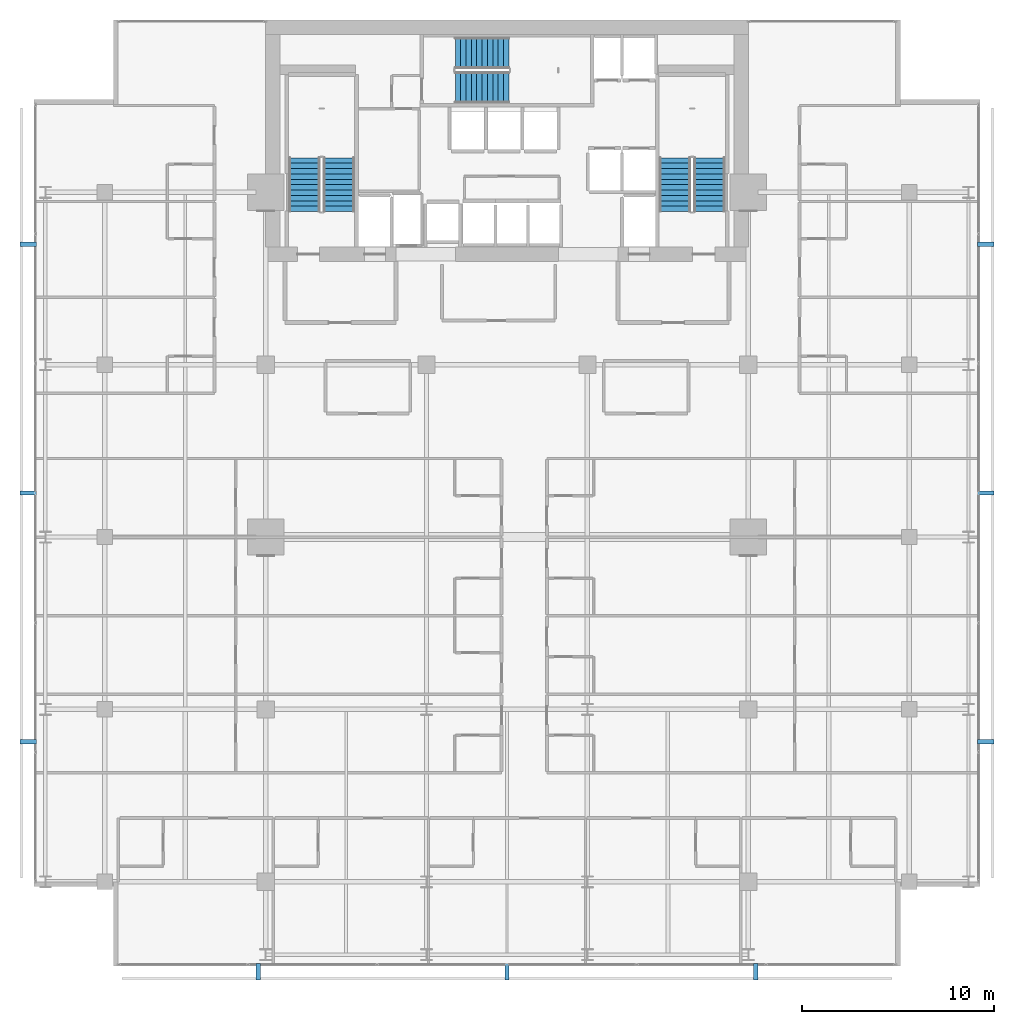
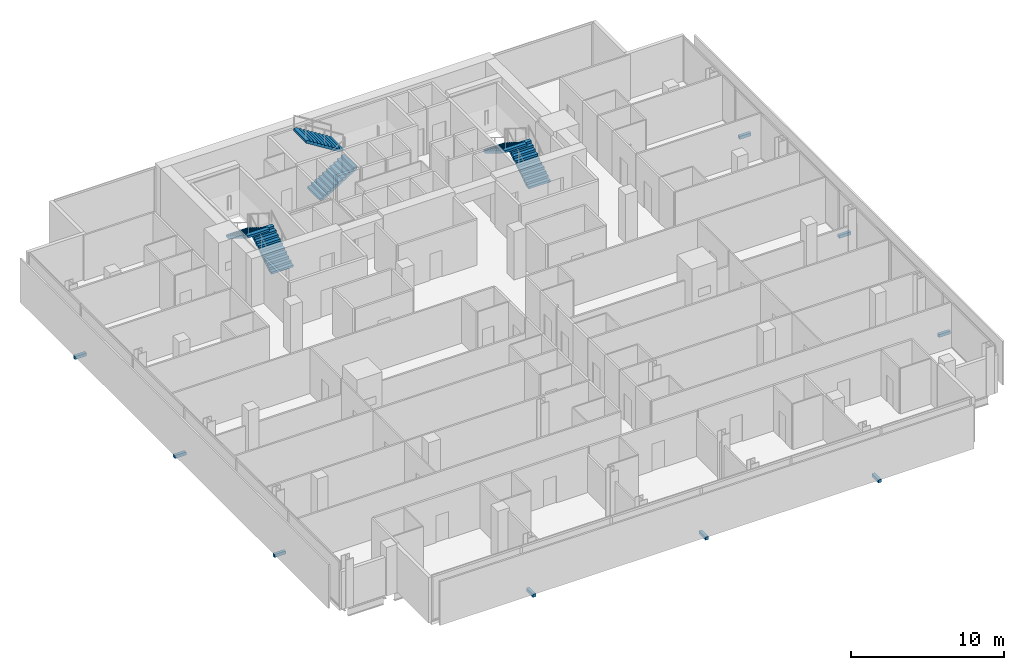
# One storey, part 32 of 34: 9 discrete accessories, 6 stair flights, 3 elements without a shape of their own.
"""IFC4 building model written with IfcOpenShell, lengths in metres."""

import ifcopenshell
import ifcopenshell.guid

model = None  # the IFC model being written
_history = None  # IfcOwnerHistory: only IFC2X3 demands one
_inside = {}  # id of a spatial element -> (the spatial element, [elements in it])
_under = {}  # id of a project, library or spatial element -> (it, [spatial elements below it])
_declared = {}  # id of a project -> (the project, [libraries it declares])
_typed = {}  # id of a type object -> (the type object, [elements of that type])
_made_of = {}  # id of a material, layer set ... -> (it, [elements and type objects made of it])


def new_model(schema):
    """Start an empty IFC model of exactly this schema.

    Asked for "IFC4X3", IfcOpenShell would pick the latest addendum, in which some entities
    have other attributes; the version numbers below select the first issue.
    IFC2X3 requires an IfcOwnerHistory on every rooted entity: one is made here for all.
    """
    global model, _history
    if schema == "IFC4X3":
        model = ifcopenshell.file(schema_version=(4, 3, 0, 0))
    else:
        model = ifcopenshell.file(schema=schema)
    _inside.clear()
    _under.clear()
    _declared.clear()
    _typed.clear()
    _made_of.clear()
    _history = None
    if model.schema == "IFC2X3":
        org = make("IfcOrganization", Name="unknown")
        user = make(
            "IfcPersonAndOrganization",
            ThePerson=make("IfcPerson", FamilyName="unknown"),
            TheOrganization=org,
        )
        app = make(
            "IfcApplication",
            ApplicationDeveloper=org,
            Version="unknown",
            ApplicationFullName="unknown",
            ApplicationIdentifier="unknown",
        )
        _history = make(
            "IfcOwnerHistory",
            OwningUser=user,
            OwningApplication=app,
            ChangeAction="ADDED",
            CreationDate=0,
        )
    return model


def make(cls, **values):
    """One entity of the class cls with the attributes given. An attribute that is None is left unset."""
    return model.create_entity(
        cls, **{name: value for name, value in values.items() if value is not None}
    )


def rooted(cls, **values):
    """An entity with a GlobalId (a new one), such as an element, a storey or a relation."""
    return make(cls, GlobalId=ifcopenshell.guid.new(), OwnerHistory=_history, **values)


def si_unit(unit_type, name, prefix=None):
    """IfcSIUnit, for example si_unit("LENGTHUNIT", "METRE", prefix="MILLI")."""
    return make("IfcSIUnit", UnitType=unit_type, Prefix=prefix, Name=name)


def assignment(units):
    """IfcUnitAssignment: the units of a project."""
    return None if units is None else make("IfcUnitAssignment", Units=units)


def point(xyz):
    """IfcCartesianPoint."""
    return None if xyz is None else make("IfcCartesianPoint", Coordinates=xyz)


def direction(xyz):
    """IfcDirection."""
    return None if xyz is None else make("IfcDirection", DirectionRatios=xyz)


def frame(location, z_axis=None, x_axis=None):
    """IfcAxis2Placement3D, a coordinate frame: its origin and axes. An axis left out is left unset."""
    return make(
        "IfcAxis2Placement3D",
        Location=point(location),
        Axis=direction(z_axis),
        RefDirection=direction(x_axis),
    )


def frame_2d(location, x_axis=None):
    """IfcAxis2Placement2D, a coordinate frame in the plane: its origin and x axis."""
    return make(
        "IfcAxis2Placement2D", Location=point(location), RefDirection=direction(x_axis)
    )


def origin():
    """The frame at (0, 0, 0) with its axes left unset."""
    return frame((0.0, 0.0, 0.0))


def origin_2d():
    """The frame at (0, 0) in the plane with its x axis left unset."""
    return frame_2d((0.0, 0.0))


def place(relative_to, where):
    """IfcLocalPlacement: puts the frame where relative to a parent placement (None: the world)."""
    return make(
        "IfcLocalPlacement", PlacementRelTo=relative_to, RelativePlacement=where
    )


def context(
    kind, dimensions, precision=None, world=None, true_north=None, identifier=None
):
    """IfcGeometricRepresentationContext, for example the 3D "Model" context."""
    return make(
        "IfcGeometricRepresentationContext",
        ContextIdentifier=identifier,
        ContextType=kind,
        CoordinateSpaceDimension=dimensions,
        Precision=precision,
        WorldCoordinateSystem=world,
        TrueNorth=true_north,
    )


def subcontext(parent, identifier, kind, view, scale=None):
    """IfcGeometricRepresentationSubContext, for example "Body" below "Model"."""
    return make(
        "IfcGeometricRepresentationSubContext",
        ContextIdentifier=identifier,
        ContextType=kind,
        ParentContext=parent,
        TargetScale=scale,
        TargetView=view,
    )


def project(units=None, contexts=None):
    """IfcProject with its units and contexts."""
    return rooted(
        "IfcProject",
        Name="project",
        RepresentationContexts=contexts,
        UnitsInContext=assignment(units),
    )


def spatial(cls, under=None, at=None, **own):
    """A site, building, storey or space (cls), placed at a placement, below another one or the project."""
    s = rooted(cls, ObjectPlacement=at, **own)
    if under is not None:
        _under.setdefault(under.id(), (under, []))[1].append(s)
    return s


def polyline(points):
    """IfcPolyline through the points."""
    return make("IfcPolyline", Points=[point(p) for p in points])


def profile(cls, at=None, kind="AREA", **sizes):
    """A parametric profile (cls). Its sizes go by their IFC names, for example OverallWidth=200.0."""
    return make(cls, ProfileType=kind, Position=at, **sizes)


def rectangle(**sizes):
    """IfcRectangleProfileDef."""
    return profile("IfcRectangleProfileDef", **sizes)


def outline(outer, holes=None, kind="AREA"):
    """IfcArbitraryClosedProfileDef: a profile drawn as a closed curve; with holes, ...WithVoids."""
    if holes is None:
        return make("IfcArbitraryClosedProfileDef", ProfileType=kind, OuterCurve=outer)
    return make(
        "IfcArbitraryProfileDefWithVoids",
        ProfileType=kind,
        OuterCurve=outer,
        InnerCurves=holes,
    )


def extrude(swept, where, along, depth):
    """IfcExtrudedAreaSolid: the profile swept, set in the frame where, extruded along a direction by depth."""
    return make(
        "IfcExtrudedAreaSolid",
        SweptArea=swept,
        Position=where,
        ExtrudedDirection=direction(along),
        Depth=depth,
    )


def shape(context_of_items, identifier, shape_type, items):
    """IfcShapeRepresentation: the items that make up one representation, for example the "Body"."""
    return make(
        "IfcShapeRepresentation",
        ContextOfItems=context_of_items,
        RepresentationIdentifier=identifier,
        RepresentationType=shape_type,
        Items=items,
    )


def material(Name=None, Category=None):
    """IfcMaterial."""
    return make("IfcMaterial", Name=Name, Category=Category)


def made_of(thing, what):
    """Note that an element or type object is made of a material, layer set ...; save() writes the relation."""
    if what is not None:
        _made_of.setdefault(what.id(), (what, []))[1].append(thing)
    return thing


def type_object(cls, material=None, **own):
    """A type object (cls), such as IfcWallType, which elements share."""
    return made_of(rooted(cls, **own), material)


def element(
    cls,
    number,
    at=None,
    inside=None,
    cuts=None,
    type_object=None,
    material=None,
    context=None,
    identifier="Body",
    shape_type=None,
    held_by="IfcProductDefinitionShape",
    body=None,
    shapes=None,
    **own,
):
    """One element of the class cls, such as IfcWall. Its Tag is "e" and its number.

    at: its placement. inside: the storey or other place that contains it. cuts: it is an
    opening in that element (IfcRelVoidsElement). A single representation is given by context,
    identifier, shape_type and body (its items); several are given by shapes. held_by: the class
    of the entity that holds the representations. save() writes the other relations.
    """
    e = rooted(cls, Tag="e%d" % number, ObjectPlacement=at, **own)
    if body is not None:
        shapes = [shape(context, identifier, shape_type, body)]
    if shapes is not None:
        e.Representation = make(held_by, Representations=shapes)
    if inside is not None:
        _inside.setdefault(inside.id(), (inside, []))[1].append(e)
    if cuts is not None:
        rooted(
            "IfcRelVoidsElement", RelatingBuildingElement=cuts, RelatedOpeningElement=e
        )
    if type_object is not None:
        _typed.setdefault(type_object.id(), (type_object, []))[1].append(e)
    return made_of(e, material)


def aggregate(whole, parts):
    """IfcRelAggregates: a whole, such as a stair, and the parts it consists of."""
    return rooted("IfcRelAggregates", RelatingObject=whole, RelatedObjects=parts)


def save(model, path):
    """Write the relations noted so far, then the file.

    IfcRelAggregates (storeys below a building ...), IfcRelContainedInSpatialStructure (elements
    in a storey), IfcRelDefinesByType, IfcRelAssociatesMaterial and IfcRelDeclares: one each for
    every whole, place, type object, material and project.
    """
    for whole, parts in _under.values():
        aggregate(whole, parts)
    for where, things in _inside.values():
        rooted(
            "IfcRelContainedInSpatialStructure",
            RelatedElements=things,
            RelatingStructure=where,
        )
    for kind, things in _typed.values():
        rooted("IfcRelDefinesByType", RelatedObjects=things, RelatingType=kind)
    for what, things in _made_of.values():
        rooted("IfcRelAssociatesMaterial", RelatedObjects=things, RelatingMaterial=what)
    for by, libraries in _declared.values():
        rooted("IfcRelDeclares", RelatingContext=by, RelatedDefinitions=libraries)
    model.write(path)


model = new_model("IFC4")

# Units and contexts
model_context = context("Model", 3, precision=1e-05, world=origin(), true_north=direction((0.0, 1.0)))
body_context = subcontext(model_context, "Body", "Model", "MODEL_VIEW")
ifc_project = project(units=[si_unit("LENGTHUNIT", "METRE"), si_unit("AREAUNIT", "SQUARE_METRE"), si_unit("VOLUMEUNIT", "CUBIC_METRE"), si_unit("PLANEANGLEUNIT", "RADIAN"), si_unit("MASSUNIT", "GRAM", prefix="KILO")], contexts=[model_context])

# Site, building, storey
site_placement = place(None, origin())
site = spatial("IfcSite", under=ifc_project, at=site_placement, CompositionType="ELEMENT")
building_placement = place(site_placement, origin())
building = spatial("IfcBuilding", under=site, at=building_placement, Name="Maruvema Waterfront Hotel and Observation Tower", CompositionType="ELEMENT")
storey_placement = place(building_placement, frame((0.0, 0.0, 173.60009765625)))
storey = spatial("IfcBuildingStorey", under=building, at=storey_placement, Name="L42", CompositionType="ELEMENT", Elevation=173.60009765625)

# Stair, stair flights
ifc_material_1 = material(Name="Concrete C50/60", Category="concrete")
stair_type = type_object("IfcStairType", Name="Dogleg Exit Stair 1650 mm (22R x 175.0 mm)", PredefinedType="HALF_TURN_STAIR", material=ifc_material_1)
stair_1_placement = place(storey_placement, origin())
stair_1 = element("IfcStair", 1, at=stair_1_placement, inside=storey, type_object=stair_type, Name="L42 ST-01", PredefinedType="HALF_TURN_STAIR")
ifc_material_2 = material(Name="Concrete C50/60", Category="concrete")
stair_flight_type = type_object("IfcStairFlightType", Name="Reinforced Concrete Stair Flight 1650 mm (11R x 175.0 mm)", PredefinedType="STRAIGHT", material=ifc_material_2)
stair_flight_1_placement = place(storey_placement, frame((29.02490234375, 44.0, 0.0), z_axis=(0.0, 0.0, 1.0), x_axis=(0.0, 1.0, 0.0)))
stair_flight_1 = element("IfcStairFlight", 2, at=stair_flight_1_placement, type_object=stair_flight_type, Name="ST-01 flight 1", NumberOfRisers=11, NumberOfTreads=10, PredefinedType="STRAIGHT", RiserHeight=0.175, TreadLength=0.28, context=body_context, shape_type="SweptSolid", body=[
    extrude(outline(polyline([(0.0, 0.0), (0.0, 0.175048828125), (0.280029296875, 0.175048828125), (0.280029296875, 0.35009765625), (0.56005859375, 0.35009765625), (0.56005859375, 0.52490234375), (0.840087890625, 0.52490234375), (0.840087890625, 0.699951171875), (1.1201171875, 0.699951171875), (1.1201171875, 0.875), (1.39990234375, 0.875), (1.39990234375, 1.050048828125), (1.679931640625, 1.050048828125), (1.679931640625, 1.22509765625), (1.9599609375, 1.22509765625), (1.9599609375, 1.39990234375), (2.239990234375, 1.39990234375), (2.239990234375, 1.574951171875), (2.52001953125, 1.574951171875), (2.52001953125, 1.75), (2.800048828125, 1.75), (2.800048828125, 1.925048828125), (2.800048828125, 1.5732421875), (0.28271484375, 0.0), (0.0, 0.0)])), frame((0.0, 0.824951171875, 0.0), z_axis=(0.0, -1.0, 0.0), x_axis=(1.0, 0.0, 0.0)), (0.0, 0.0, 1.0), 1.64990234375),
])
stair_flight_2_placement = place(storey_placement, frame((27.22509765625, 46.800048828125, 1.9248046875), z_axis=(0.0, 0.0, 1.0), x_axis=(0.0, -1.0, 0.0)))
stair_flight_2 = element("IfcStairFlight", 3, at=stair_flight_2_placement, type_object=stair_flight_type, Name="ST-01 flight 2", NumberOfRisers=11, NumberOfTreads=10, PredefinedType="STRAIGHT", RiserHeight=0.175, TreadLength=0.28, context=body_context, shape_type="SweptSolid", body=[
    extrude(outline(polyline([(0.0, 0.0), (0.0, 0.175048828125), (0.280029296875, 0.175048828125), (0.280029296875, 0.35009765625), (0.56005859375, 0.35009765625), (0.56005859375, 0.52490234375), (0.840087890625, 0.52490234375), (0.840087890625, 0.699951171875), (1.1201171875, 0.699951171875), (1.1201171875, 0.875), (1.39990234375, 0.875), (1.39990234375, 1.050048828125), (1.679931640625, 1.050048828125), (1.679931640625, 1.22509765625), (1.9599609375, 1.22509765625), (1.9599609375, 1.39990234375), (2.239990234375, 1.39990234375), (2.239990234375, 1.574951171875), (2.52001953125, 1.574951171875), (2.52001953125, 1.75), (2.800048828125, 1.75), (2.800048828125, 1.925048828125), (2.800048828125, 1.5732421875), (0.28271484375, 0.0), (0.0, 0.0)])), frame((0.0, 0.824951171875, 0.0), z_axis=(0.0, -1.0, 0.0), x_axis=(1.0, 0.0, 0.0)), (0.0, 0.0, 1.0), 1.64990234375),
])
aggregate(stair_1, [stair_flight_1, stair_flight_2])

stair_2_placement = place(storey_placement, origin())
stair_2 = element("IfcStair", 4, at=stair_2_placement, inside=storey, type_object=stair_type, Name="L42 ST-02", PredefinedType="HALF_TURN_STAIR")
stair_flight_3_placement = place(storey_placement, frame((35.10009765625, 50.47509765625, 0.0), z_axis=(0.0, 0.0, 1.0), x_axis=(1.0, 0.0, 0.0)))
stair_flight_3 = element("IfcStairFlight", 5, at=stair_flight_3_placement, type_object=stair_flight_type, Name="ST-02 flight 1", NumberOfRisers=11, NumberOfTreads=10, PredefinedType="STRAIGHT", RiserHeight=0.175, TreadLength=0.28, context=body_context, shape_type="SweptSolid", body=[
    extrude(outline(polyline([(0.0, 0.0), (0.0, 0.175048828125), (0.280029296875, 0.175048828125), (0.280029296875, 0.35009765625), (0.56005859375, 0.35009765625), (0.56005859375, 0.52490234375), (0.840087890625, 0.52490234375), (0.840087890625, 0.699951171875), (1.1201171875, 0.699951171875), (1.1201171875, 0.875), (1.39990234375, 0.875), (1.39990234375, 1.050048828125), (1.679931640625, 1.050048828125), (1.679931640625, 1.22509765625), (1.9599609375, 1.22509765625), (1.9599609375, 1.39990234375), (2.239990234375, 1.39990234375), (2.239990234375, 1.574951171875), (2.52001953125, 1.574951171875), (2.52001953125, 1.75), (2.800048828125, 1.75), (2.800048828125, 1.925048828125), (2.800048828125, 1.5732421875), (0.28271484375, 0.0), (0.0, 0.0)])), frame((0.0, 0.824951171875, 0.0), z_axis=(0.0, -1.0, 0.0), x_axis=(1.0, 0.0, 0.0)), (0.0, 0.0, 1.0), 1.64990234375),
])
stair_flight_4_placement = place(storey_placement, frame((37.89990234375, 52.27490234375, 1.9248046875), z_axis=(0.0, 0.0, 1.0), x_axis=(-1.0, 0.0, 0.0)))
stair_flight_4 = element("IfcStairFlight", 6, at=stair_flight_4_placement, type_object=stair_flight_type, Name="ST-02 flight 2", NumberOfRisers=11, NumberOfTreads=10, PredefinedType="STRAIGHT", RiserHeight=0.175, TreadLength=0.28, context=body_context, shape_type="SweptSolid", body=[
    extrude(outline(polyline([(0.0, 0.0), (0.0, 0.175048828125), (0.280029296875, 0.175048828125), (0.280029296875, 0.35009765625), (0.56005859375, 0.35009765625), (0.56005859375, 0.52490234375), (0.840087890625, 0.52490234375), (0.840087890625, 0.699951171875), (1.1201171875, 0.699951171875), (1.1201171875, 0.875), (1.39990234375, 0.875), (1.39990234375, 1.050048828125), (1.679931640625, 1.050048828125), (1.679931640625, 1.22509765625), (1.9599609375, 1.22509765625), (1.9599609375, 1.39990234375), (2.239990234375, 1.39990234375), (2.239990234375, 1.574951171875), (2.52001953125, 1.574951171875), (2.52001953125, 1.75), (2.800048828125, 1.75), (2.800048828125, 1.925048828125), (2.800048828125, 1.5732421875), (0.28271484375, 0.0), (0.0, 0.0)])), frame((0.0, 0.824951171875, 0.0), z_axis=(0.0, -1.0, 0.0), x_axis=(1.0, 0.0, 0.0)), (0.0, 0.0, 1.0), 1.64990234375),
])
aggregate(stair_2, [stair_flight_3, stair_flight_4])

stair_3_placement = place(storey_placement, origin())
stair_3 = element("IfcStair", 7, at=stair_3_placement, inside=storey, type_object=stair_type, Name="L42 ST-03", PredefinedType="HALF_TURN_STAIR")
stair_flight_5_placement = place(storey_placement, frame((48.375, 44.0, 0.0), z_axis=(0.0, 0.0, 1.0), x_axis=(0.0, 1.0, 0.0)))
stair_flight_5 = element("IfcStairFlight", 8, at=stair_flight_5_placement, type_object=stair_flight_type, Name="ST-03 flight 1", NumberOfRisers=11, NumberOfTreads=10, PredefinedType="STRAIGHT", RiserHeight=0.175, TreadLength=0.28, context=body_context, shape_type="SweptSolid", body=[
    extrude(outline(polyline([(0.0, 0.0), (0.0, 0.175048828125), (0.280029296875, 0.175048828125), (0.280029296875, 0.35009765625), (0.56005859375, 0.35009765625), (0.56005859375, 0.52490234375), (0.840087890625, 0.52490234375), (0.840087890625, 0.699951171875), (1.1201171875, 0.699951171875), (1.1201171875, 0.875), (1.39990234375, 0.875), (1.39990234375, 1.050048828125), (1.679931640625, 1.050048828125), (1.679931640625, 1.22509765625), (1.9599609375, 1.22509765625), (1.9599609375, 1.39990234375), (2.239990234375, 1.39990234375), (2.239990234375, 1.574951171875), (2.52001953125, 1.574951171875), (2.52001953125, 1.75), (2.800048828125, 1.75), (2.800048828125, 1.925048828125), (2.800048828125, 1.5732421875), (0.28271484375, 0.0), (0.0, 0.0)])), frame((0.0, 0.824951171875, 0.0), z_axis=(0.0, -1.0, 0.0), x_axis=(1.0, 0.0, 0.0)), (0.0, 0.0, 1.0), 1.64990234375),
])
stair_flight_6_placement = place(storey_placement, frame((46.574951171875, 46.800048828125, 1.9248046875), z_axis=(0.0, 0.0, 1.0), x_axis=(0.0, -1.0, 0.0)))
stair_flight_6 = element("IfcStairFlight", 9, at=stair_flight_6_placement, type_object=stair_flight_type, Name="ST-03 flight 2", NumberOfRisers=11, NumberOfTreads=10, PredefinedType="STRAIGHT", RiserHeight=0.175, TreadLength=0.28, context=body_context, shape_type="SweptSolid", body=[
    extrude(outline(polyline([(0.0, 0.0), (0.0, 0.175048828125), (0.280029296875, 0.175048828125), (0.280029296875, 0.35009765625), (0.56005859375, 0.35009765625), (0.56005859375, 0.52490234375), (0.840087890625, 0.52490234375), (0.840087890625, 0.699951171875), (1.1201171875, 0.699951171875), (1.1201171875, 0.875), (1.39990234375, 0.875), (1.39990234375, 1.050048828125), (1.679931640625, 1.050048828125), (1.679931640625, 1.22509765625), (1.9599609375, 1.22509765625), (1.9599609375, 1.39990234375), (2.239990234375, 1.39990234375), (2.239990234375, 1.574951171875), (2.52001953125, 1.574951171875), (2.52001953125, 1.75), (2.800048828125, 1.75), (2.800048828125, 1.925048828125), (2.800048828125, 1.5732421875), (0.28271484375, 0.0), (0.0, 0.0)])), frame((0.0, 0.824951171875, 0.0), z_axis=(0.0, -1.0, 0.0), x_axis=(1.0, 0.0, 0.0)), (0.0, 0.0, 1.0), 1.64990234375),
])
aggregate(stair_3, [stair_flight_5, stair_flight_6])

# Discrete accessories
ifc_material_3 = material(Name="Duplex stainless steel Grade 2205", Category="steel")
discrete_accessory_type = type_object("IfcDiscreteAccessoryType", Name="Double-Skin Cavity Stainless Outrigger Bracket", PredefinedType="BRACKET", material=ifc_material_3)
for number, where, z_axis, x_axis, name in (
    (10, (24.80810546875, 4.300048828125, -0.14013671875), (0.0, 0.0, 1.0), (1.0, 0.0, 0.0), "L42 Outer Skin Support Bracket 1"),
    (11, (37.800048828125, 4.300048828125, -0.14013671875), (0.0, 0.0, 1.0), (1.0, 0.0, 0.0), "L42 Outer Skin Support Bracket 2"),
    (12, (50.7919921875, 4.300048828125, -0.14013671875), (0.0, 0.0, 1.0), (1.0, 0.0, 0.0), "L42 Outer Skin Support Bracket 3"),
    (13, (62.800048828125, 16.30810546875, -0.14013671875), (0.0, 0.0, 1.0), (0.0, 1.0, 0.0), "L42 Outer Skin Support Bracket 1"),
    (14, (62.800048828125, 29.300048828125, -0.14013671875), (0.0, 0.0, 1.0), (0.0, 1.0, 0.0), "L42 Outer Skin Support Bracket 2"),
    (15, (62.800048828125, 42.2919921875, -0.14013671875), (0.0, 0.0, 1.0), (0.0, 1.0, 0.0), "L42 Outer Skin Support Bracket 3"),
    (16, (12.800048828125, 42.2919921875, -0.14013671875), (0.0, 0.0, 1.0), (0.0, -1.0, 0.0), "L42 Outer Skin Support Bracket 1"),
    (17, (12.800048828125, 29.300048828125, -0.14013671875), (0.0, 0.0, 1.0), (0.0, -1.0, 0.0), "L42 Outer Skin Support Bracket 2"),
    (18, (12.800048828125, 16.30810546875, -0.14013671875), (0.0, 0.0, 1.0), (0.0, -1.0, 0.0), "L42 Outer Skin Support Bracket 3"),
):
    element("IfcDiscreteAccessory", number, at=place(storey_placement, frame(where, z_axis=z_axis, x_axis=x_axis)), inside=storey, type_object=discrete_accessory_type, Name=name, PredefinedType="BRACKET", context=body_context, shape_type="SweptSolid", body=[
        extrude(rectangle(XDim=0.219970703125, YDim=0.860107421875, at=origin_2d()), origin(), (0.0, 0.0, 1.0), 0.239990234375),
    ])

save(model, "model.ifc")
